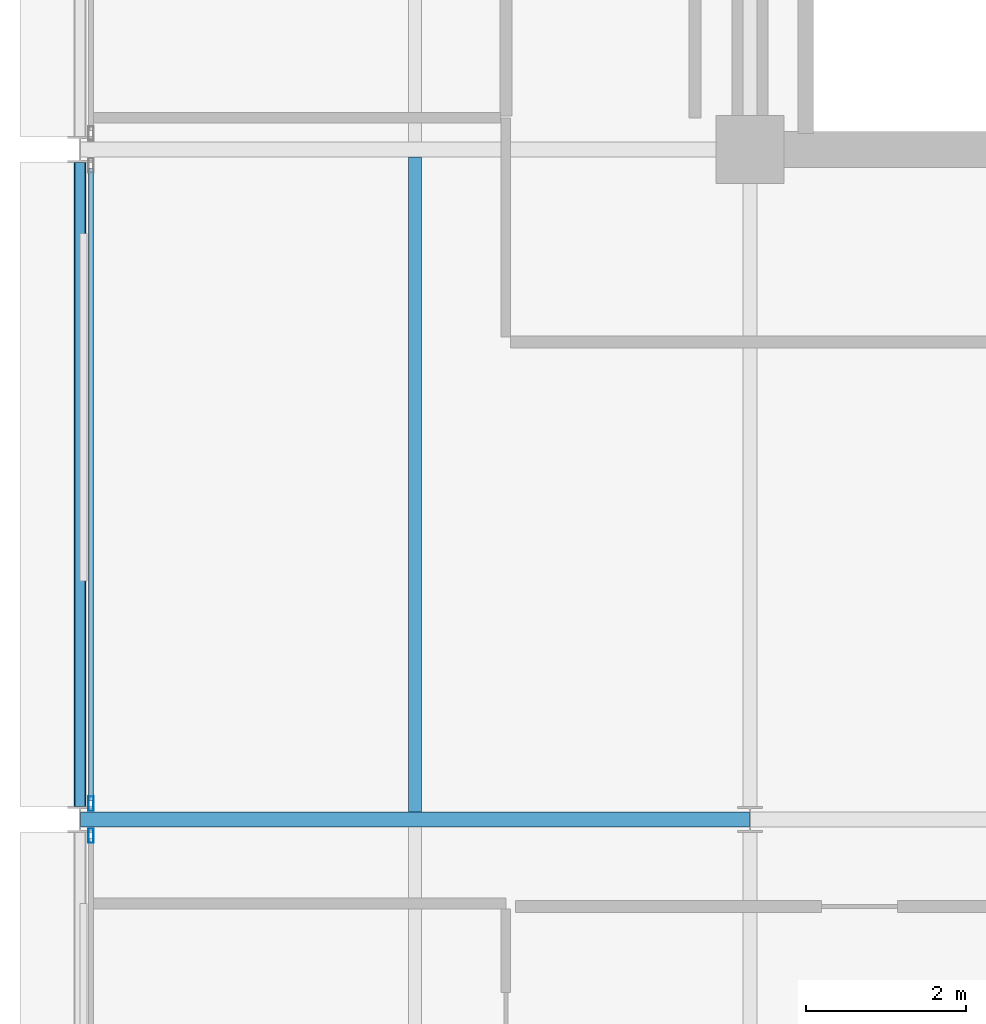
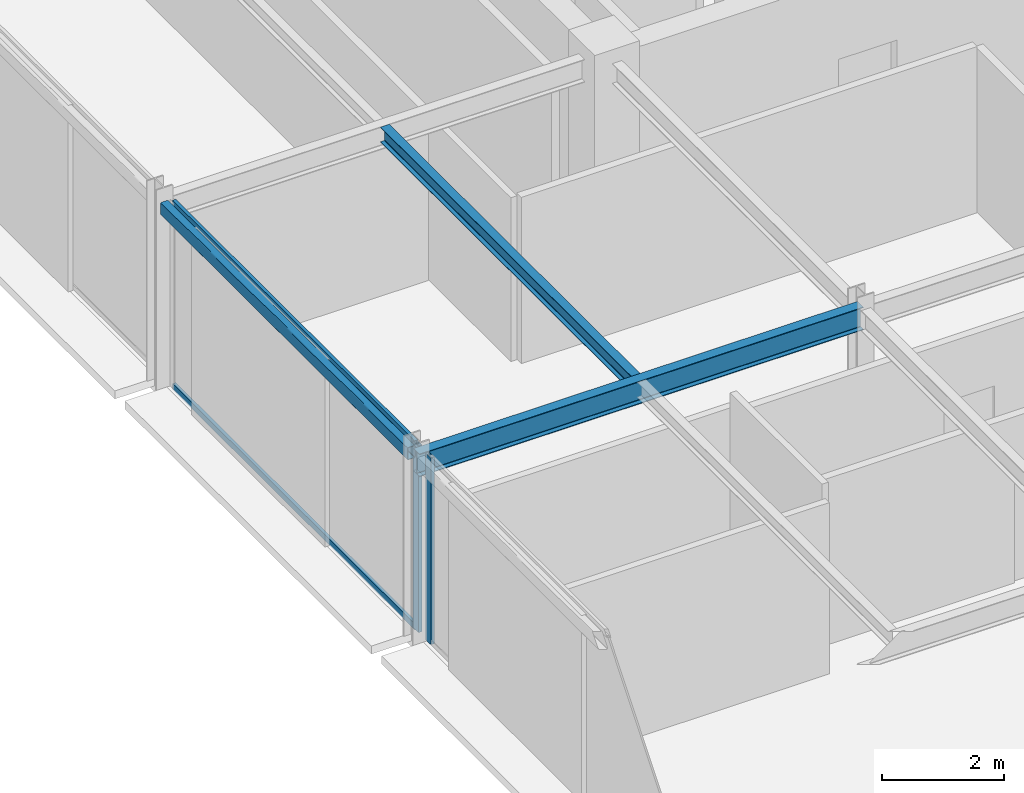
# One storey, part 9 of 27: 4 members, 3 beams, 2 elements without a shape of their own.
"""IFC4 building model written with IfcOpenShell, lengths in metres."""

from ifc_helpers import new_model, si_unit, direction, frame, origin, origin_2d, place, context, subcontext, project, spatial, hollow_rectangle, i_section, extrude, material, layer, layer_set, material_profile, profile_set, type_object, element, aggregate, save


model = new_model("IFC4")

# Units and contexts
model_context = context("Model", 3, precision=1e-05, world=origin(), true_north=direction((0.0, 1.0)))
body_context = subcontext(model_context, "Body", "Model", "MODEL_VIEW")
ifc_project = project(units=[si_unit("LENGTHUNIT", "METRE"), si_unit("AREAUNIT", "SQUARE_METRE"), si_unit("VOLUMEUNIT", "CUBIC_METRE"), si_unit("PLANEANGLEUNIT", "RADIAN"), si_unit("MASSUNIT", "GRAM", prefix="KILO")], contexts=[model_context])

# Site, building, storey
site_placement = place(None, origin())
site = spatial("IfcSite", under=ifc_project, at=site_placement, CompositionType="ELEMENT")
building_placement = place(site_placement, origin())
building = spatial("IfcBuilding", under=site, at=building_placement, Name="Nerrivon Quay Data Exchange", CompositionType="ELEMENT")
storey_placement = place(building_placement, frame((0.0, 0.0, 266.199951171875)))
storey = spatial("IfcBuildingStorey", under=building, at=storey_placement, Name="L63", CompositionType="ELEMENT", Elevation=266.199951171875)

# Beams
ifc_material_1 = material(Name="Steel Grade 350", Category="steel")
ifc_material_profile_1 = material_profile(ifc_material_1, i_section(OverallWidth=0.18994140625, OverallDepth=0.4541015625, WebThickness=0.008544921875, FlangeThickness=0.0126953125, FilletRadius=0.011474609375, at=origin_2d()), Name="460UB67.1")
ifc_profile_set_1 = profile_set([ifc_material_profile_1], Name="Steel Grade 350")
beam_type_1 = type_object("IfcBeamType", Name="BM-G6-460UB67", PredefinedType="BEAM", material=ifc_profile_set_1)
beam_1_placement = place(storey_placement, frame((0.0078125, 16.800048828125, 3.498046875), z_axis=(1.0, 0.0, 0.0), x_axis=(0.0, 1.0, 0.0)))
element("IfcBeam", 1, at=beam_1_placement, inside=storey, type_object=beam_type_1, Name="L63 EW Girder Y=16.8 (0.0..8.4)", PredefinedType="BEAM", context=body_context, shape_type="SweptSolid", body=[
    extrude(i_section(OverallWidth=0.18994140625, OverallDepth=0.4541015625, WebThickness=0.008544921875, FlangeThickness=0.0126953125, FilletRadius=0.011474609375, at=origin_2d()), origin(), (0.0, 0.0, 1.0), 8.38427734375),
])
ifc_material_profile_2 = material_profile(ifc_material_1, i_section(OverallWidth=0.1650390625, OverallDepth=0.303955078125, WebThickness=0.006103515625, FlangeThickness=0.01025390625, FilletRadius=0.011474609375, at=origin_2d()), Name="310UB40.4")
ifc_profile_set_2 = profile_set([ifc_material_profile_2], Name="Steel Grade 350")
beam_type_2 = type_object("IfcBeamType", Name="BM-J6-310UB40", PredefinedType="JOIST", material=ifc_profile_set_2)
beam_2_placement = place(storey_placement, frame((4.199951171875, 16.89501953125, 3.572998046875), z_axis=(0.0, 1.0, 0.0), x_axis=(-1.0, 0.0, 0.0)))
element("IfcBeam", 2, at=beam_2_placement, inside=storey, type_object=beam_type_2, Name="L63 Secondary Joist X=4.2 (16.8..25.2)", PredefinedType="JOIST", context=body_context, shape_type="SweptSolid", body=[
    extrude(i_section(OverallWidth=0.1650390625, OverallDepth=0.303955078125, WebThickness=0.006103515625, FlangeThickness=0.01025390625, FilletRadius=0.011474609375, at=origin_2d()), origin(), (0.0, 0.0, 1.0), 8.2099609375),
])
ifc_material_2 = material(Name="Steel Grade C350L0 (350 MPa)", Category="steel")
ifc_material_profile_3 = material_profile(ifc_material_2, hollow_rectangle(XDim=0.14990234375, YDim=0.25, WallThickness=0.009033203125, InnerFilletRadius=0.013427734375, OuterFilletRadius=0.0224609375, at=origin_2d()), Name="250x150x9.0RHS")
ifc_profile_set_3 = profile_set([ifc_material_profile_3], Name="Steel Grade C350L0 (350 MPa)")
beam_type_3 = type_object("IfcBeamType", Name="BM-SP4-250x150RHS", PredefinedType="SPANDREL", material=ifc_profile_set_3)
beam_3_placement = place(storey_placement, frame((0.0, 16.96337890625, 3.60009765625), z_axis=(0.0, 1.0, 0.0), x_axis=(-1.0, 0.0, 0.0)))
element("IfcBeam", 3, at=beam_3_placement, inside=storey, type_object=beam_type_3, Name="L63 NS Girder X=0.0 (16.8..25.2)", PredefinedType="SPANDREL", context=body_context, shape_type="SweptSolid", body=[
    extrude(hollow_rectangle(XDim=0.14990234375, YDim=0.25, WallThickness=0.009033203125, InnerFilletRadius=0.013427734375, OuterFilletRadius=0.0224609375, at=origin_2d()), origin(), (0.0, 0.0, 1.0), 8.0732421875),
])

# Curtain wall, member
ifc_material_3 = material(Name="Anodised aluminium 6063-T6", Category="aluminium")
ifc_layer = layer(ifc_material_3, 0.195068359375)
ifc_layer_set = layer_set([ifc_layer], Name="Anodised aluminium 6063-T6")
curtain_wall_type = type_object("IfcCurtainWallType", Name="CW-SYS-06", PredefinedType="NOTDEFINED", material=ifc_layer_set)
curtain_wall_1_placement = place(storey_placement, origin())
curtain_wall_1 = element("IfcCurtainWall", 4, at=curtain_wall_1_placement, inside=storey, type_object=curtain_wall_type, Name="L63 Unitised Curtain Wall 12", PredefinedType="NOTDEFINED")
ifc_material_profile_4 = material_profile(ifc_material_3, hollow_rectangle(XDim=0.06494140625, YDim=0.179931640625, WallThickness=0.00341796875, at=origin_2d()), Name="ALU-MULL-180x65")
ifc_profile_set_4 = profile_set([ifc_material_profile_4], Name="Anodised aluminium 6063-T6")
member_type_1 = type_object("IfcMemberType", Name="CWM-180x65", PredefinedType="MULLION", material=ifc_profile_set_4)
member_1_placement = place(storey_placement, frame((0.139892578125, 16.59912109375, 0.0), z_axis=(0.0, 0.0, 1.0), x_axis=(-1.0, 0.0, 0.0)))
member_1 = element("IfcMember", 5, at=member_1_placement, type_object=member_type_1, Name="CW06 mullion 2", PredefinedType="MULLION", context=body_context, shape_type="SweptSolid", body=[
    extrude(hollow_rectangle(XDim=0.06494140625, YDim=0.179931640625, WallThickness=0.00341796875, at=origin_2d()), origin(), (0.0, 0.0, 1.0), 3.72509765625),
])
aggregate(curtain_wall_1, [member_1])

# Curtain wall, members
curtain_wall_2_placement = place(storey_placement, origin())
curtain_wall_2 = element("IfcCurtainWall", 6, at=curtain_wall_2_placement, inside=storey, type_object=curtain_wall_type, Name="L63 Unitised Curtain Wall 13", PredefinedType="NOTDEFINED")
member_2_placement = place(storey_placement, frame((0.139892578125, 17.0009765625, 0.0), z_axis=(0.0, 0.0, 1.0), x_axis=(-1.0, 0.0, 0.0)))
member_2 = element("IfcMember", 7, at=member_2_placement, type_object=member_type_1, Name="CW06 mullion 1", PredefinedType="MULLION", context=body_context, shape_type="SweptSolid", body=[
    extrude(hollow_rectangle(XDim=0.06494140625, YDim=0.179931640625, WallThickness=0.00341796875, at=origin_2d()), origin(), (0.0, 0.0, 1.0), 3.72509765625),
])
ifc_material_profile_5 = material_profile(ifc_material_3, hollow_rectangle(XDim=0.06005859375, YDim=0.1201171875, WallThickness=0.003173828125, at=origin_2d()), Name="ALU-TRAN-120x60")
ifc_profile_set_5 = profile_set([ifc_material_profile_5], Name="Anodised aluminium 6063-T6")
member_type_2 = type_object("IfcMemberType", Name="CWT-120x60", PredefinedType="USERDEFINED", material=ifc_profile_set_5)
member_3_placement = place(storey_placement, frame((0.139892578125, 17.03857421875, 0.032470703125), z_axis=(0.0, 1.0, 0.0), x_axis=(-1.0, 0.0, 0.0)))
member_3 = element("IfcMember", 8, at=member_3_placement, type_object=member_type_2, Name="CW06 transom 1.1", ObjectType="TRANSOM", PredefinedType="USERDEFINED", context=body_context, shape_type="SweptSolid", body=[
    extrude(hollow_rectangle(XDim=0.06005859375, YDim=0.1201171875, WallThickness=0.003173828125, at=origin_2d()), origin(), (0.0, 0.0, 1.0), 7.9228515625),
])
member_4_placement = place(storey_placement, frame((0.139892578125, 17.03857421875, 3.692626953125), z_axis=(0.0, 1.0, 0.0), x_axis=(-1.0, 0.0, 0.0)))
member_4 = element("IfcMember", 9, at=member_4_placement, type_object=member_type_2, Name="CW06 transom 1.2", ObjectType="TRANSOM", PredefinedType="USERDEFINED", context=body_context, shape_type="SweptSolid", body=[
    extrude(hollow_rectangle(XDim=0.06005859375, YDim=0.1201171875, WallThickness=0.003173828125, at=origin_2d()), origin(), (0.0, 0.0, 1.0), 7.9228515625),
])
aggregate(curtain_wall_2, [member_2, member_3, member_4])

save(model, "model.ifc")
